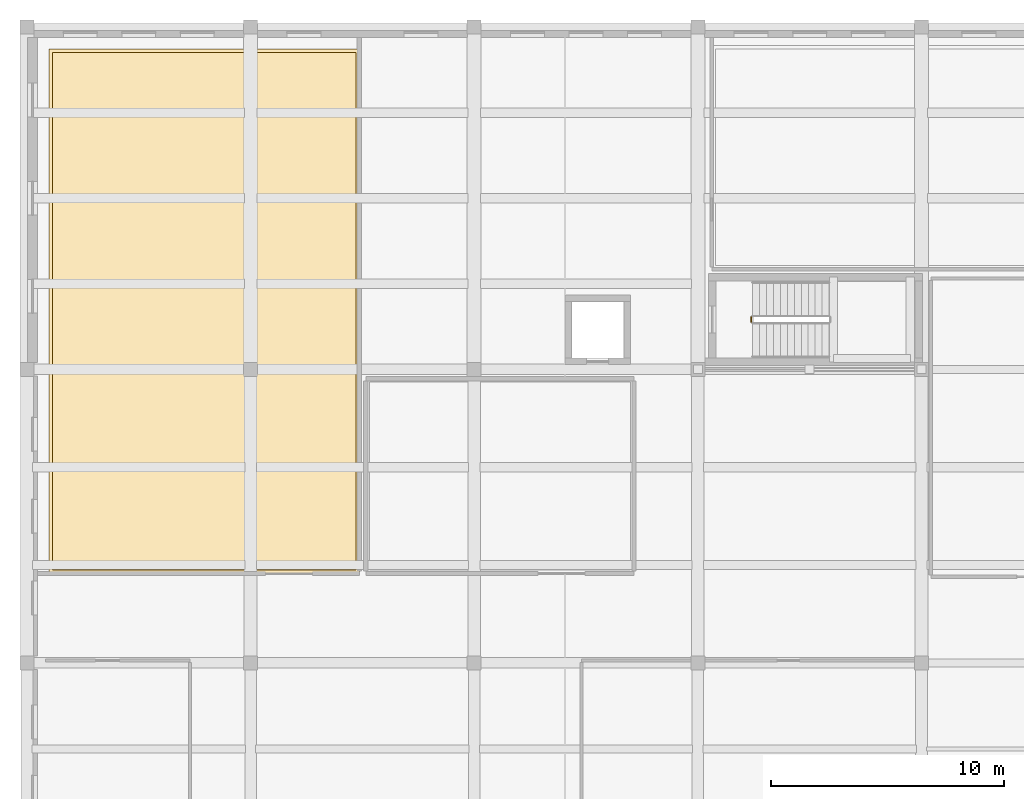
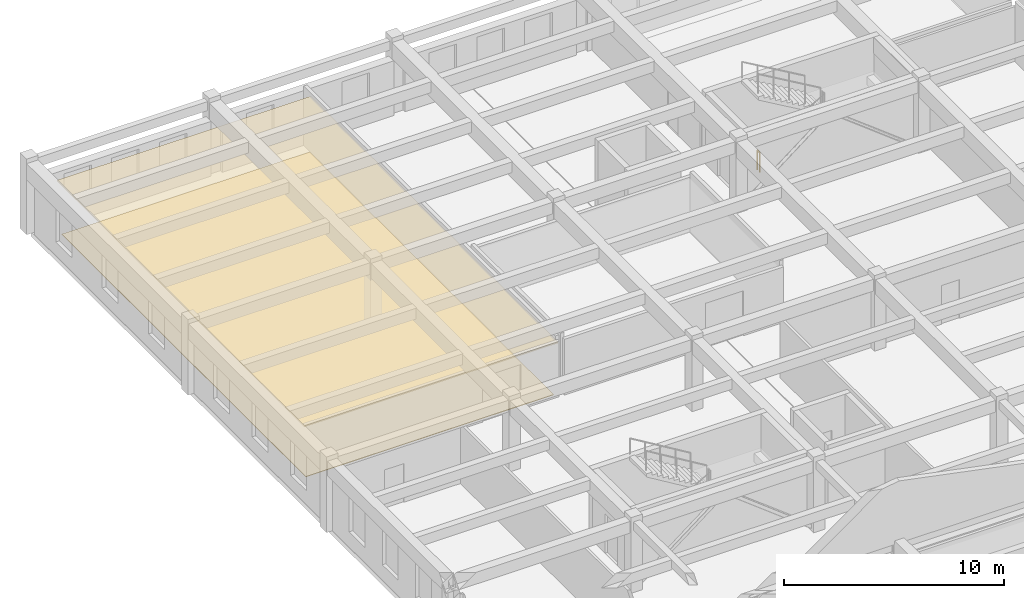
# One storey, part 28 of 31: 2 coverings, 1 railing.
"""IFC4 building model written with IfcOpenShell, lengths in metres."""

import ifcopenshell
import ifcopenshell.guid

model = None  # the IFC model being written
_history = None  # IfcOwnerHistory: only IFC2X3 demands one
_inside = {}  # id of a spatial element -> (the spatial element, [elements in it])
_under = {}  # id of a project, library or spatial element -> (it, [spatial elements below it])
_declared = {}  # id of a project -> (the project, [libraries it declares])
_typed = {}  # id of a type object -> (the type object, [elements of that type])
_made_of = {}  # id of a material, layer set ... -> (it, [elements and type objects made of it])


def new_model(schema):
    """Start an empty IFC model of exactly this schema.

    Asked for "IFC4X3", IfcOpenShell would pick the latest addendum, in which some entities
    have other attributes; the version numbers below select the first issue.
    IFC2X3 requires an IfcOwnerHistory on every rooted entity: one is made here for all.
    """
    global model, _history
    if schema == "IFC4X3":
        model = ifcopenshell.file(schema_version=(4, 3, 0, 0))
    else:
        model = ifcopenshell.file(schema=schema)
    _inside.clear()
    _under.clear()
    _declared.clear()
    _typed.clear()
    _made_of.clear()
    _history = None
    if model.schema == "IFC2X3":
        org = make("IfcOrganization", Name="unknown")
        user = make(
            "IfcPersonAndOrganization",
            ThePerson=make("IfcPerson", FamilyName="unknown"),
            TheOrganization=org,
        )
        app = make(
            "IfcApplication",
            ApplicationDeveloper=org,
            Version="unknown",
            ApplicationFullName="unknown",
            ApplicationIdentifier="unknown",
        )
        _history = make(
            "IfcOwnerHistory",
            OwningUser=user,
            OwningApplication=app,
            ChangeAction="ADDED",
            CreationDate=0,
        )
    return model


def make(cls, **values):
    """One entity of the class cls with the attributes given. An attribute that is None is left unset."""
    return model.create_entity(
        cls, **{name: value for name, value in values.items() if value is not None}
    )


def rooted(cls, **values):
    """An entity with a GlobalId (a new one), such as an element, a storey or a relation."""
    return make(cls, GlobalId=ifcopenshell.guid.new(), OwnerHistory=_history, **values)


def si_unit(unit_type, name, prefix=None):
    """IfcSIUnit, for example si_unit("LENGTHUNIT", "METRE", prefix="MILLI")."""
    return make("IfcSIUnit", UnitType=unit_type, Prefix=prefix, Name=name)


def assignment(units):
    """IfcUnitAssignment: the units of a project."""
    return None if units is None else make("IfcUnitAssignment", Units=units)


def point(xyz):
    """IfcCartesianPoint."""
    return None if xyz is None else make("IfcCartesianPoint", Coordinates=xyz)


def direction(xyz):
    """IfcDirection."""
    return None if xyz is None else make("IfcDirection", DirectionRatios=xyz)


def frame(location, z_axis=None, x_axis=None):
    """IfcAxis2Placement3D, a coordinate frame: its origin and axes. An axis left out is left unset."""
    return make(
        "IfcAxis2Placement3D",
        Location=point(location),
        Axis=direction(z_axis),
        RefDirection=direction(x_axis),
    )


def frame_2d(location, x_axis=None):
    """IfcAxis2Placement2D, a coordinate frame in the plane: its origin and x axis."""
    return make(
        "IfcAxis2Placement2D", Location=point(location), RefDirection=direction(x_axis)
    )


def origin():
    """The frame at (0, 0, 0) with its axes left unset."""
    return frame((0.0, 0.0, 0.0))


def origin_2d():
    """The frame at (0, 0) in the plane with its x axis left unset."""
    return frame_2d((0.0, 0.0))


def place(relative_to, where):
    """IfcLocalPlacement: puts the frame where relative to a parent placement (None: the world)."""
    return make(
        "IfcLocalPlacement", PlacementRelTo=relative_to, RelativePlacement=where
    )


def context(
    kind, dimensions, precision=None, world=None, true_north=None, identifier=None
):
    """IfcGeometricRepresentationContext, for example the 3D "Model" context."""
    return make(
        "IfcGeometricRepresentationContext",
        ContextIdentifier=identifier,
        ContextType=kind,
        CoordinateSpaceDimension=dimensions,
        Precision=precision,
        WorldCoordinateSystem=world,
        TrueNorth=true_north,
    )


def subcontext(parent, identifier, kind, view, scale=None):
    """IfcGeometricRepresentationSubContext, for example "Body" below "Model"."""
    return make(
        "IfcGeometricRepresentationSubContext",
        ContextIdentifier=identifier,
        ContextType=kind,
        ParentContext=parent,
        TargetScale=scale,
        TargetView=view,
    )


def project(units=None, contexts=None):
    """IfcProject with its units and contexts."""
    return rooted(
        "IfcProject",
        Name="project",
        RepresentationContexts=contexts,
        UnitsInContext=assignment(units),
    )


def spatial(cls, under=None, at=None, **own):
    """A site, building, storey or space (cls), placed at a placement, below another one or the project."""
    s = rooted(cls, ObjectPlacement=at, **own)
    if under is not None:
        _under.setdefault(under.id(), (under, []))[1].append(s)
    return s


def polyline(points):
    """IfcPolyline through the points."""
    return make("IfcPolyline", Points=[point(p) for p in points])


def profile(cls, at=None, kind="AREA", **sizes):
    """A parametric profile (cls). Its sizes go by their IFC names, for example OverallWidth=200.0."""
    return make(cls, ProfileType=kind, Position=at, **sizes)


def circle(**sizes):
    """IfcCircleProfileDef."""
    return profile("IfcCircleProfileDef", **sizes)


def outline(outer, holes=None, kind="AREA"):
    """IfcArbitraryClosedProfileDef: a profile drawn as a closed curve; with holes, ...WithVoids."""
    if holes is None:
        return make("IfcArbitraryClosedProfileDef", ProfileType=kind, OuterCurve=outer)
    return make(
        "IfcArbitraryProfileDefWithVoids",
        ProfileType=kind,
        OuterCurve=outer,
        InnerCurves=holes,
    )


def extrude(swept, where, along, depth):
    """IfcExtrudedAreaSolid: the profile swept, set in the frame where, extruded along a direction by depth."""
    return make(
        "IfcExtrudedAreaSolid",
        SweptArea=swept,
        Position=where,
        ExtrudedDirection=direction(along),
        Depth=depth,
    )


def shape(context_of_items, identifier, shape_type, items):
    """IfcShapeRepresentation: the items that make up one representation, for example the "Body"."""
    return make(
        "IfcShapeRepresentation",
        ContextOfItems=context_of_items,
        RepresentationIdentifier=identifier,
        RepresentationType=shape_type,
        Items=items,
    )


def material(Name=None, Category=None):
    """IfcMaterial."""
    return make("IfcMaterial", Name=Name, Category=Category)


def layer(
    of_material, thickness, ventilated=None, Name=None, Category=None, Priority=None
):
    """IfcMaterialLayer: one layer of a wall or slab, of a material (None: an air gap)."""
    return make(
        "IfcMaterialLayer",
        Material=of_material,
        LayerThickness=thickness,
        IsVentilated=ventilated,
        Name=Name,
        Category=Category,
        Priority=Priority,
    )


def layer_set(layers, Name=None):
    """IfcMaterialLayerSet."""
    return make("IfcMaterialLayerSet", MaterialLayers=layers, LayerSetName=Name)


def made_of(thing, what):
    """Note that an element or type object is made of a material, layer set ...; save() writes the relation."""
    if what is not None:
        _made_of.setdefault(what.id(), (what, []))[1].append(thing)
    return thing


def type_object(cls, material=None, **own):
    """A type object (cls), such as IfcWallType, which elements share."""
    return made_of(rooted(cls, **own), material)


def element(
    cls,
    number,
    at=None,
    inside=None,
    cuts=None,
    type_object=None,
    material=None,
    context=None,
    identifier="Body",
    shape_type=None,
    held_by="IfcProductDefinitionShape",
    body=None,
    shapes=None,
    **own,
):
    """One element of the class cls, such as IfcWall. Its Tag is "e" and its number.

    at: its placement. inside: the storey or other place that contains it. cuts: it is an
    opening in that element (IfcRelVoidsElement). A single representation is given by context,
    identifier, shape_type and body (its items); several are given by shapes. held_by: the class
    of the entity that holds the representations. save() writes the other relations.
    """
    e = rooted(cls, Tag="e%d" % number, ObjectPlacement=at, **own)
    if body is not None:
        shapes = [shape(context, identifier, shape_type, body)]
    if shapes is not None:
        e.Representation = make(held_by, Representations=shapes)
    if inside is not None:
        _inside.setdefault(inside.id(), (inside, []))[1].append(e)
    if cuts is not None:
        rooted(
            "IfcRelVoidsElement", RelatingBuildingElement=cuts, RelatedOpeningElement=e
        )
    if type_object is not None:
        _typed.setdefault(type_object.id(), (type_object, []))[1].append(e)
    return made_of(e, material)


def aggregate(whole, parts):
    """IfcRelAggregates: a whole, such as a stair, and the parts it consists of."""
    return rooted("IfcRelAggregates", RelatingObject=whole, RelatedObjects=parts)


def save(model, path):
    """Write the relations noted so far, then the file.

    IfcRelAggregates (storeys below a building ...), IfcRelContainedInSpatialStructure (elements
    in a storey), IfcRelDefinesByType, IfcRelAssociatesMaterial and IfcRelDeclares: one each for
    every whole, place, type object, material and project.
    """
    for whole, parts in _under.values():
        aggregate(whole, parts)
    for where, things in _inside.values():
        rooted(
            "IfcRelContainedInSpatialStructure",
            RelatedElements=things,
            RelatingStructure=where,
        )
    for kind, things in _typed.values():
        rooted("IfcRelDefinesByType", RelatedObjects=things, RelatingType=kind)
    for what, things in _made_of.values():
        rooted("IfcRelAssociatesMaterial", RelatedObjects=things, RelatingMaterial=what)
    for by, libraries in _declared.values():
        rooted("IfcRelDeclares", RelatingContext=by, RelatedDefinitions=libraries)
    model.write(path)


model = new_model("IFC4")

# Units and contexts
model_context = context("Model", 3, precision=1e-05, world=origin(), true_north=direction((0.0, 1.0)))
body_context = subcontext(model_context, "Body", "Model", "MODEL_VIEW")
ifc_project = project(units=[si_unit("LENGTHUNIT", "METRE"), si_unit("AREAUNIT", "SQUARE_METRE"), si_unit("VOLUMEUNIT", "CUBIC_METRE"), si_unit("PLANEANGLEUNIT", "RADIAN"), si_unit("MASSUNIT", "GRAM", prefix="KILO")], contexts=[model_context])

# Site, building, storey
site_placement = place(None, origin())
site = spatial("IfcSite", under=ifc_project, at=site_placement, CompositionType="ELEMENT")
building_placement = place(site_placement, origin())
building = spatial("IfcBuilding", under=site, at=building_placement, Name="Tarnavel Promenade Courthouse", CompositionType="ELEMENT")
storey_placement = place(building_placement, frame((0.0, 0.0, 18.60009765625)))
storey = spatial("IfcBuildingStorey", under=building, at=storey_placement, Name="L05", CompositionType="ELEMENT", Elevation=18.60009765625)

# Covering
ifc_material_1 = material(Name="Engineered Smoked Oak Courtroom & Chambers Parquet")
ifc_layer_1 = layer(ifc_material_1, 0.031982421875)
ifc_layer_set_1 = layer_set([ifc_layer_1], Name="Engineered Smoked Oak Courtroom & Chambers Parquet")
covering_type_1 = type_object("IfcCoveringType", Name="Engineered Smoked Oak Courtroom & Chambers Parquet (COV-FLR-OAK-32)", PredefinedType="FLOORING", material=ifc_layer_set_1)
covering_1_placement = place(storey_placement, origin())
element("IfcCovering", 1, at=covering_1_placement, inside=storey, type_object=covering_type_1, Name="L05 Appellate Division Courtroom A Architectural Flooring 0031", PredefinedType="FLOORING", context=body_context, shape_type="SweptSolid", body=[
    extrude(outline(polyline([(1.090087890625, 89.489990234375), (14.116943359375, 89.489990234375), (14.116943359375, 111.7099609375), (1.090087890625, 111.7099609375), (1.090087890625, 89.489990234375)])), origin(), (0.0, 0.0, 1.0), 0.031982421875),
])

# Railing
ifc_material_2 = material(Name="Painted Architectural Steel Core Stair Guardrail", Category="steel")
railing_type = type_object("IfcRailingType", Name="Painted Architectural Steel Core Stair Guardrail (RL-GRD-1100)", PredefinedType="GUARDRAIL", material=ifc_material_2)
railing_placement = place(storey_placement, frame((31.090087890625, 100.139892578125, 0.0)))
element("IfcRailing", 2, at=railing_placement, inside=storey, type_object=railing_type, Name="L05 ST-07 stair guard 4", PredefinedType="GUARDRAIL", context=body_context, shape_type="SweptSolid", body=[
    extrude(circle(Radius=0.02392578125, at=origin_2d()), frame((0.0, 0.0, 1.076171875), z_axis=(0.0, 1.0, 0.0), x_axis=(-1.0, 0.0, 0.0)), (0.0, 0.0, 1.0), 0.2001953125),
    extrude(circle(Radius=0.02099609375, at=origin_2d()), origin(), (0.0, 0.0, 1.0), 1.052001953125),
    extrude(circle(Radius=0.02099609375, at=origin_2d()), frame((0.0, 0.2001953125, 0.0)), (0.0, 0.0, 1.0), 1.052001953125),
])

# Covering
ifc_material_3 = material(Name="Slatted Acoustic White Oak Baffle Ceiling")
ifc_layer_2 = layer(ifc_material_3, 0.06494140625)
ifc_layer_set_2 = layer_set([ifc_layer_2], Name="Slatted Acoustic White Oak Baffle Ceiling")
covering_type_2 = type_object("IfcCoveringType", Name="Slatted Acoustic White Oak Baffle Ceiling (COV-CLG-OAK-65)", PredefinedType="CEILING", material=ifc_layer_set_2)
covering_2_placement = place(storey_placement, frame((0.0, 0.0, 2.9248046875)))
element("IfcCovering", 3, at=covering_2_placement, inside=storey, type_object=covering_type_2, Name="L05 Appellate Division Courtroom A Acoustic Ceiling 0031", PredefinedType="CEILING", context=body_context, shape_type="SweptSolid", body=[
    extrude(outline(polyline([(0.93994140625, 89.340087890625), (14.26708984375, 89.340087890625), (14.26708984375, 111.860107421875), (0.93994140625, 111.860107421875), (0.93994140625, 89.340087890625)])), origin(), (0.0, 0.0, 1.0), 0.065185546875),
])

save(model, "model.ifc")
